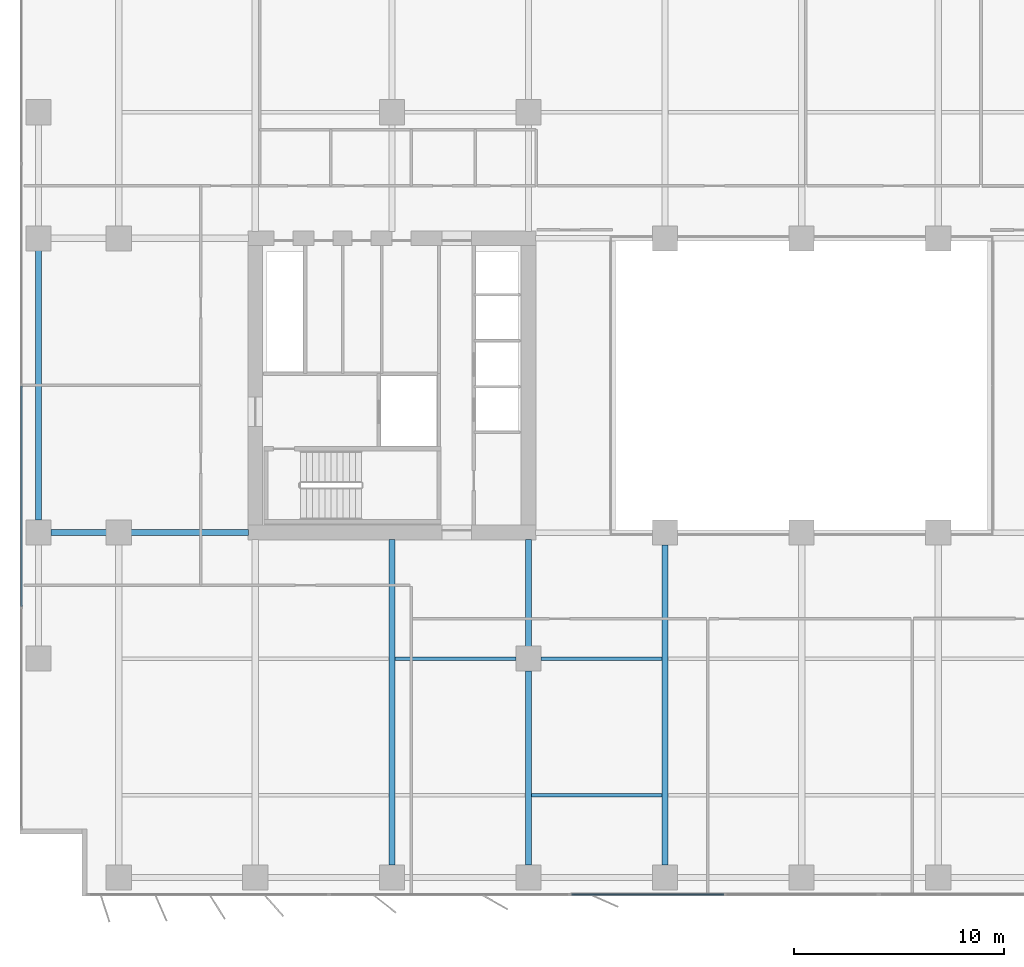
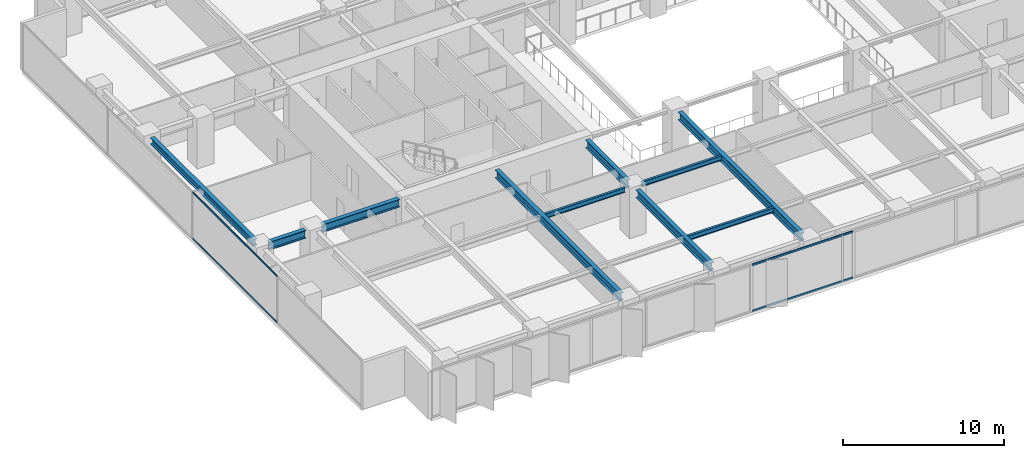
# One storey, part 3 of 20: 10 beams, 4 members, 2 elements without a shape of their own.
"""IFC4 building model written with IfcOpenShell, lengths in metres."""

from ifc_helpers import new_model, si_unit, direction, frame, origin, origin_2d, place, context, subcontext, project, spatial, rectangle, i_section, extrude, material, layer, layer_set, material_profile, profile_set, type_object, element, aggregate, save


model = new_model("IFC4")

# Units and contexts
model_context = context("Model", 3, precision=1e-05, world=origin(), true_north=direction((0.0, 1.0)))
body_context = subcontext(model_context, "Body", "Model", "MODEL_VIEW")
ifc_project = project(units=[si_unit("LENGTHUNIT", "METRE"), si_unit("AREAUNIT", "SQUARE_METRE"), si_unit("VOLUMEUNIT", "CUBIC_METRE"), si_unit("PLANEANGLEUNIT", "RADIAN"), si_unit("MASSUNIT", "GRAM", prefix="KILO")], contexts=[model_context])

# Site, building, storey
site_placement = place(None, origin())
site = spatial("IfcSite", under=ifc_project, at=site_placement, CompositionType="ELEMENT")
building_placement = place(site_placement, origin())
building = spatial("IfcBuilding", under=site, at=building_placement, Name="Putna Gate Headquarters", CompositionType="ELEMENT")
storey_placement = place(building_placement, frame((0.0, 0.0, 108.800048828125)))
storey = spatial("IfcBuildingStorey", under=building, at=storey_placement, Name="L26", CompositionType="ELEMENT", Elevation=108.800048828125)

# Beams
ifc_material_1 = material(Name="Steel S355J2", Category="steel")
ifc_material_profile_1 = material_profile(ifc_material_1, i_section(OverallWidth=0.300048828125, OverallDepth=0.60009765625, WebThickness=0.015380859375, FlangeThickness=0.030029296875, at=origin_2d()), Name="Steel S355J2")
ifc_profile_set_1 = profile_set([ifc_material_profile_1], Name="Steel S355J2")
beam_type_1 = type_object("IfcBeamType", Name="BM-GIRD-Z2-HEB600", PredefinedType="USERDEFINED", material=ifc_profile_set_1)
beam_1_placement = place(storey_placement, frame((3.26806640625, 19.0, 3.264892578125), z_axis=(1.0, 0.0, 0.0), x_axis=(0.0, 1.0, 0.0)))
element("IfcBeam", 1, at=beam_1_placement, inside=storey, type_object=beam_type_1, Name="L26 West Wing Girder Y19-1", ObjectType="GIRDER", PredefinedType="USERDEFINED", context=body_context, shape_type="SweptSolid", body=[
    extrude(i_section(OverallWidth=0.300048828125, OverallDepth=0.60009765625, WebThickness=0.015380859375, FlangeThickness=0.030029296875, at=origin_2d()), origin(), (0.0, 0.0, 1.0), 2.64404296875),
])
beam_2_placement = place(storey_placement, frame((7.087890625, 19.0, 3.264892578125), z_axis=(1.0, 0.0, 0.0), x_axis=(0.0, 1.0, 0.0)))
element("IfcBeam", 2, at=beam_2_placement, inside=storey, type_object=beam_type_1, Name="L26 West Wing Girder Y19-2", ObjectType="GIRDER", PredefinedType="USERDEFINED", context=body_context, shape_type="SweptSolid", body=[
    extrude(i_section(OverallWidth=0.300048828125, OverallDepth=0.60009765625, WebThickness=0.015380859375, FlangeThickness=0.030029296875, at=origin_2d()), origin(), (0.0, 0.0, 1.0), 5.5771484375),
])
beam_3_placement = place(storey_placement, frame((19.5, 3.16796875, 3.264892578125), z_axis=(0.0, 1.0, 0.0), x_axis=(-1.0, 0.0, 0.0)))
element("IfcBeam", 3, at=beam_3_placement, inside=storey, type_object=beam_type_1, Name="L26 South Primary Girder X19", ObjectType="GIRDER", PredefinedType="USERDEFINED", context=body_context, shape_type="SweptSolid", body=[
    extrude(i_section(OverallWidth=0.300048828125, OverallDepth=0.60009765625, WebThickness=0.015380859375, FlangeThickness=0.030029296875, at=origin_2d()), origin(), (0.0, 0.0, 1.0), 15.4970703125),
])
beam_4_placement = place(storey_placement, frame((26.0, 3.16796875, 3.264892578125), z_axis=(0.0, 1.0, 0.0), x_axis=(-1.0, 0.0, 0.0)))
element("IfcBeam", 4, at=beam_4_placement, inside=storey, type_object=beam_type_1, Name="L26 South Primary Girder X26-1", ObjectType="GIRDER", PredefinedType="USERDEFINED", context=body_context, shape_type="SweptSolid", body=[
    extrude(i_section(OverallWidth=0.300048828125, OverallDepth=0.60009765625, WebThickness=0.015380859375, FlangeThickness=0.030029296875, at=origin_2d()), origin(), (0.0, 0.0, 1.0), 9.244140625),
])
beam_5_placement = place(storey_placement, frame((26.0, 13.587890625, 3.264892578125), z_axis=(0.0, 1.0, 0.0), x_axis=(-1.0, 0.0, 0.0)))
element("IfcBeam", 5, at=beam_5_placement, inside=storey, type_object=beam_type_1, Name="L26 South Primary Girder X26-2", ObjectType="GIRDER", PredefinedType="USERDEFINED", context=body_context, shape_type="SweptSolid", body=[
    extrude(i_section(OverallWidth=0.300048828125, OverallDepth=0.60009765625, WebThickness=0.015380859375, FlangeThickness=0.030029296875, at=origin_2d()), origin(), (0.0, 0.0, 1.0), 5.0771484375),
])
beam_6_placement = place(storey_placement, frame((32.5, 3.16796875, 3.264892578125), z_axis=(0.0, 1.0, 0.0), x_axis=(-1.0, 0.0, 0.0)))
element("IfcBeam", 6, at=beam_6_placement, inside=storey, type_object=beam_type_1, Name="L26 South Primary Girder X32", ObjectType="GIRDER", PredefinedType="USERDEFINED", context=body_context, shape_type="SweptSolid", body=[
    extrude(i_section(OverallWidth=0.300048828125, OverallDepth=0.60009765625, WebThickness=0.015380859375, FlangeThickness=0.030029296875, at=origin_2d()), origin(), (0.0, 0.0, 1.0), 15.244140625),
])
ifc_material_profile_2 = material_profile(ifc_material_1, i_section(OverallWidth=0.169921875, OverallDepth=0.360107421875, WebThickness=0.008056640625, FlangeThickness=0.0126953125, at=origin_2d()), Name="Steel S355J2")
ifc_profile_set_2 = profile_set([ifc_material_profile_2], Name="Steel S355J2")
beam_type_2 = type_object("IfcBeamType", Name="BM-SEC-Z2-IPE360", PredefinedType="BEAM", material=ifc_profile_set_2)
beam_7_placement = place(storey_placement, frame((19.654052734375, 13.0, 3.385009765625), z_axis=(1.0, 0.0, 0.0), x_axis=(0.0, 1.0, 0.0)))
element("IfcBeam", 7, at=beam_7_placement, inside=storey, type_object=beam_type_2, Name="L26 South Secondary Beam 3", PredefinedType="BEAM", context=body_context, shape_type="SweptSolid", body=[
    extrude(i_section(OverallWidth=0.169921875, OverallDepth=0.360107421875, WebThickness=0.008056640625, FlangeThickness=0.0126953125, at=origin_2d()), origin(), (0.0, 0.0, 1.0), 5.758056640625),
])
beam_8_placement = place(storey_placement, frame((26.154052734375, 6.5, 3.385009765625), z_axis=(1.0, 0.0, 0.0), x_axis=(0.0, 1.0, 0.0)))
element("IfcBeam", 8, at=beam_8_placement, inside=storey, type_object=beam_type_2, Name="L26 South Secondary Beam 4", PredefinedType="BEAM", context=body_context, shape_type="SweptSolid", body=[
    extrude(i_section(OverallWidth=0.169921875, OverallDepth=0.360107421875, WebThickness=0.008056640625, FlangeThickness=0.0126953125, at=origin_2d()), origin(), (0.0, 0.0, 1.0), 6.19189453125),
])
beam_9_placement = place(storey_placement, frame((26.587890625, 13.0, 3.385009765625), z_axis=(1.0, 0.0, 0.0), x_axis=(0.0, 1.0, 0.0)))
element("IfcBeam", 9, at=beam_9_placement, inside=storey, type_object=beam_type_2, Name="L26 South Secondary Beam 4", PredefinedType="BEAM", context=body_context, shape_type="SweptSolid", body=[
    extrude(i_section(OverallWidth=0.169921875, OverallDepth=0.360107421875, WebThickness=0.008056640625, FlangeThickness=0.0126953125, at=origin_2d()), origin(), (0.0, 0.0, 1.0), 5.758056640625),
])
ifc_material_profile_3 = material_profile(ifc_material_1, i_section(OverallWidth=0.300048828125, OverallDepth=0.489990234375, WebThickness=0.011962890625, FlangeThickness=0.02294921875, at=origin_2d()), Name="Steel S355J2")
ifc_profile_set_3 = profile_set([ifc_material_profile_3], Name="Steel S355J2")
beam_type_3 = type_object("IfcBeamType", Name="BM-SPAN-Z2-HEA500", PredefinedType="SPANDREL", material=ifc_profile_set_3)
beam_10_placement = place(storey_placement, frame((2.679931640625, 19.587890625, 3.320068359375), z_axis=(0.0, 1.0, 0.0), x_axis=(-1.0, 0.0, 0.0)))
element("IfcBeam", 10, at=beam_10_placement, inside=storey, type_object=beam_type_3, Name="L26 W End Spandrel 2", PredefinedType="SPANDREL", context=body_context, shape_type="SweptSolid", body=[
    extrude(i_section(OverallWidth=0.300048828125, OverallDepth=0.489990234375, WebThickness=0.011962890625, FlangeThickness=0.02294921875, at=origin_2d()), origin(), (0.0, 0.0, 1.0), 12.82421875),
])

# Curtain wall, members
ifc_material_2 = material(Name="Anodised bronze aluminium curtain wall", Category="aluminium")
ifc_layer_1 = layer(ifc_material_2, 0.159912109375)
ifc_layer_set_1 = layer_set([ifc_layer_1], Name="Anodised bronze aluminium curtain wall")
curtain_wall_type_1 = type_object("IfcCurtainWallType", Name="CW-SYS-Z2", PredefinedType="USERDEFINED", material=ifc_layer_set_1)
curtain_wall_1_placement = place(storey_placement, origin())
curtain_wall_1 = element("IfcCurtainWall", 11, at=curtain_wall_1_placement, inside=storey, type_object=curtain_wall_type_1, Name="L26 West Curtain Wall", ObjectType="STICK CURTAIN WALL", PredefinedType="USERDEFINED")
ifc_material_3 = material(Name="Anodised bronze aluminium EN AW-6060", Category="aluminium")
ifc_material_profile_4 = material_profile(ifc_material_3, rectangle(XDim=0.06494140625, YDim=0.1201171875, at=origin_2d()), Name="Anodised bronze aluminium EN AW-6060")
ifc_profile_set_4 = profile_set([ifc_material_profile_4], Name="Anodised bronze aluminium EN AW-6060")
member_type_1 = type_object("IfcMemberType", Name="TRAN-CWT-2", PredefinedType="USERDEFINED", material=ifc_profile_set_4)
member_1_placement = place(storey_placement, frame((1.8798828125, 15.482421875, 0.032470703125), z_axis=(0.0, 1.0, 0.0), x_axis=(-1.0, 0.0, 0.0)))
member_1 = element("IfcMember", 12, at=member_1_placement, type_object=member_type_1, Name="CWS-2 transom 2.1", ObjectType="TRANSOM", PredefinedType="USERDEFINED", context=body_context, shape_type="SweptSolid", body=[
    extrude(rectangle(XDim=0.06494140625, YDim=0.1201171875, at=origin_2d()), origin(), (0.0, 0.0, 1.0), 10.485107421875),
])
member_2_placement = place(storey_placement, frame((1.8798828125, 15.482421875, 3.532470703125), z_axis=(0.0, 1.0, 0.0), x_axis=(-1.0, 0.0, 0.0)))
member_2 = element("IfcMember", 13, at=member_2_placement, type_object=member_type_1, Name="CWS-2 transom 2.2", ObjectType="TRANSOM", PredefinedType="USERDEFINED", context=body_context, shape_type="SweptSolid", body=[
    extrude(rectangle(XDim=0.06494140625, YDim=0.1201171875, at=origin_2d()), origin(), (0.0, 0.0, 1.0), 10.485107421875),
])
aggregate(curtain_wall_1, [member_1, member_2])

ifc_layer_2 = layer(ifc_material_2, 0.179931640625)
ifc_layer_set_2 = layer_set([ifc_layer_2], Name="Anodised bronze aluminium curtain wall")
curtain_wall_type_2 = type_object("IfcCurtainWallType", Name="CW-SYS-ATR", PredefinedType="USERDEFINED", material=ifc_layer_set_2)
curtain_wall_2_placement = place(storey_placement, origin())
curtain_wall_2 = element("IfcCurtainWall", 14, at=curtain_wall_2_placement, inside=storey, type_object=curtain_wall_type_2, Name="L26 South Atrium Clear Glazing", ObjectType="ATRIUM GLAZING", PredefinedType="USERDEFINED")
ifc_material_profile_5 = material_profile(ifc_material_3, rectangle(XDim=0.070068359375, YDim=0.139892578125, at=origin_2d()), Name="Anodised bronze aluminium EN AW-6060")
ifc_profile_set_5 = profile_set([ifc_material_profile_5], Name="Anodised bronze aluminium EN AW-6060")
member_type_2 = type_object("IfcMemberType", Name="TRAN-CWT-AT", PredefinedType="USERDEFINED", material=ifc_profile_set_5)
member_3_placement = place(storey_placement, frame((28.070068359375, 1.780029296875, 0.034912109375), z_axis=(1.0, 0.0, 0.0), x_axis=(0.0, 1.0, 0.0)))
member_3 = element("IfcMember", 15, at=member_3_placement, type_object=member_type_2, Name="CWS-AT transom 1.1", ObjectType="TRANSOM", PredefinedType="USERDEFINED", context=body_context, shape_type="SweptSolid", body=[
    extrude(rectangle(XDim=0.070068359375, YDim=0.139892578125, at=origin_2d()), origin(), (0.0, 0.0, 1.0), 7.228271484375),
])
member_4_placement = place(storey_placement, frame((28.070068359375, 1.780029296875, 3.530029296875), z_axis=(1.0, 0.0, 0.0), x_axis=(0.0, 1.0, 0.0)))
member_4 = element("IfcMember", 16, at=member_4_placement, type_object=member_type_2, Name="CWS-AT transom 1.2", ObjectType="TRANSOM", PredefinedType="USERDEFINED", context=body_context, shape_type="SweptSolid", body=[
    extrude(rectangle(XDim=0.070068359375, YDim=0.139892578125, at=origin_2d()), origin(), (0.0, 0.0, 1.0), 7.228271484375),
])
aggregate(curtain_wall_2, [member_3, member_4])

save(model, "model.ifc")
